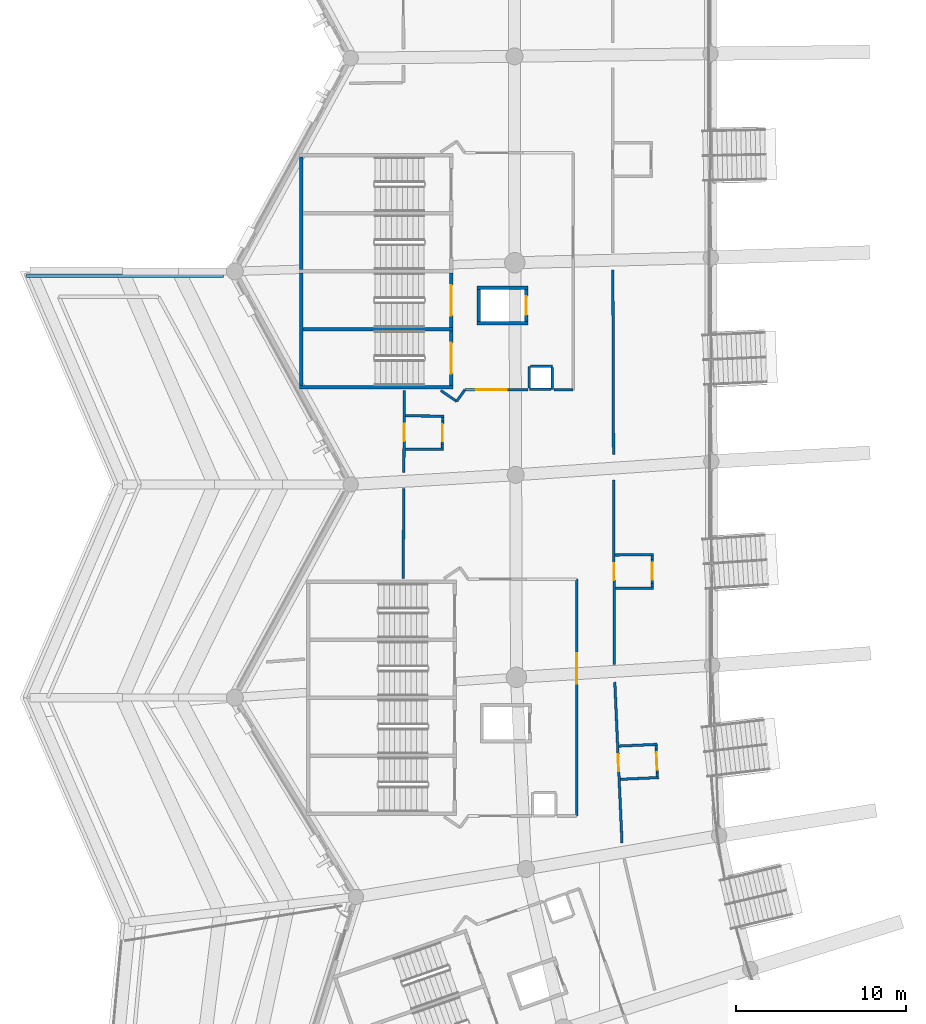
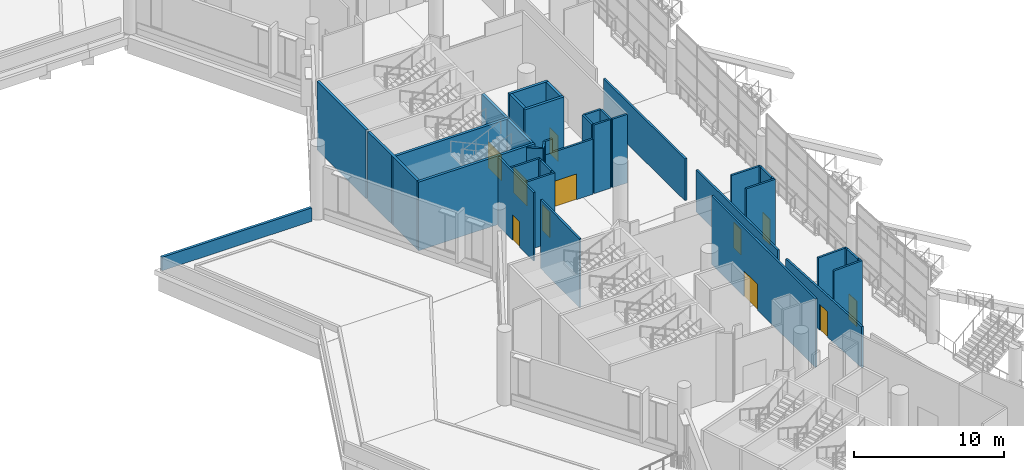
# One storey, part 48 of 173: 41 walls, 11 doors, 11 openings.
"""IFC4 building model written with IfcOpenShell, lengths in metres."""

from ifc_helpers import new_model, si_unit, direction, frame, frame_2d, origin, place, context, subcontext, project, spatial, rectangle, extrude, material, layer, layer_set, type_object, element, fill, save


model = new_model("IFC4")

# Units and contexts
model_context = context("Model", 3, precision=1e-05, world=origin(), true_north=direction((0.0, 1.0)))
body_context = subcontext(model_context, "Body", "Model", "MODEL_VIEW")
ifc_project = project(units=[si_unit("LENGTHUNIT", "METRE"), si_unit("AREAUNIT", "SQUARE_METRE"), si_unit("VOLUMEUNIT", "CUBIC_METRE"), si_unit("PLANEANGLEUNIT", "RADIAN"), si_unit("MASSUNIT", "GRAM", prefix="KILO")], contexts=[model_context])

# Site, building, storey
site_placement = place(None, origin())
site = spatial("IfcSite", under=ifc_project, at=site_placement, CompositionType="ELEMENT")
building_placement = place(site_placement, origin())
building = spatial("IfcBuilding", under=site, at=building_placement, Name="Meseta Stadium", CompositionType="ELEMENT")
storey_placement = place(building_placement, frame((0.0, 0.0, 18.0)))
storey = spatial("IfcBuildingStorey", under=building, at=storey_placement, Name="L03", CompositionType="ELEMENT", Elevation=18.0)

# Walls
ifc_material_1 = material(Name="Concrete C40/50", Category="concrete")
ifc_layer_1 = layer(ifc_material_1, 0.199951171875)
ifc_layer_set_1 = layer_set([ifc_layer_1], Name="Core divider wall 200")
wall_type_1 = type_object("IfcWallType", Name="Core divider wall 200", PredefinedType="SHEAR", material=ifc_layer_set_1)
wall_1_placement = place(storey_placement, frame((-97.60009765625, -22.14990234375, 0.0), z_axis=(0.0, 0.0, 1.0), x_axis=(1.0, 0.0, 0.0)))
element("IfcWall", 1, at=wall_1_placement, inside=storey, type_object=wall_type_1, Name="Core 18 L03 stair B divider wall", PredefinedType="SHEAR", context=body_context, shape_type="SweptSolid", body=[
    extrude(rectangle(XDim=9.0, YDim=0.199951171875, at=frame_2d((4.5, 0.0))), origin(), (0.0, 0.0, 1.0), 5.60009765625),
])
ifc_material_2 = material(Name="Concrete C40/50", Category="concrete")
ifc_layer_2 = layer(ifc_material_2, 0.199951171875)
ifc_layer_set_2 = layer_set([ifc_layer_2], Name="Core shaft wall 200")
wall_type_2 = type_object("IfcWallType", Name="Core shaft wall 200", PredefinedType="SHEAR", material=ifc_layer_set_2)
wall_2_placement = place(storey_placement, frame((-97.60009765625, -25.550048828125, 0.0), z_axis=(0.0, 0.0, 1.0), x_axis=(1.0, 0.0, 0.0)))
element("IfcWall", 2, at=wall_2_placement, inside=storey, type_object=wall_type_2, Name="Core 18 L03 stair wall B-side", PredefinedType="SHEAR", context=body_context, shape_type="SweptSolid", body=[
    extrude(rectangle(XDim=9.0, YDim=0.199951171875, at=frame_2d((4.5, 0.0))), origin(), (0.0, 0.0, 1.0), 5.60009765625),
])
for number, where, z_axis, x_axis, name in (
    (3, (-97.5, -12.050048828125, 0.0), (0.0, 0.0, 1.0), (0.0, -1.0, 0.0), "Core 18 L03 stair A outer end wall"),
    (4, (-97.5, -18.85009765625, 0.0), (0.0, 0.0, 1.0), (0.0, -1.0, 0.0), "Core 18 L03 stair B outer end wall"),
):
    element("IfcWall", number, at=place(storey_placement, frame(where, z_axis=z_axis, x_axis=x_axis)), inside=storey, type_object=wall_type_2, Name=name, PredefinedType="SHEAR", context=body_context, shape_type="SweptSolid", body=[
        extrude(rectangle(XDim=6.599853515625, YDim=0.199951171875, at=frame_2d((3.2998046875, 0.0))), origin(), (0.0, 0.0, 1.0), 5.60009765625),
    ])

# Wall, opening, door
wall_3_placement = place(storey_placement, frame((-88.699951171875, -18.85009765625, 0.0), z_axis=(0.0, 0.0, 1.0), x_axis=(0.0, -1.0, 0.0)))
wall_3 = element("IfcWall", 5, at=wall_3_placement, inside=storey, type_object=wall_type_2, Name="Core 18 L03 stair B1 inner end wall", PredefinedType="SHEAR", context=body_context, shape_type="SweptSolid", body=[
    extrude(rectangle(XDim=3.199951171875, YDim=0.199951171875, at=frame_2d((1.60009765625, 0.0))), origin(), (0.0, 0.0, 1.0), 5.60009765625),
])
opening_1_placement = place(wall_3_placement, frame((0.699951171875, 0.0, 0.0)))
opening_1 = element("IfcOpeningElement", 6, at=opening_1_placement, cuts=wall_3, Name="Opening D1280", PredefinedType="OPENING", context=body_context, shape_type="SweptSolid", body=[
    extrude(rectangle(XDim=1.800048828125, YDim=2.10009765625, at=frame_2d((0.89990234375, 1.050048828125))), frame((0.0, 0.10986328125, 0.0), z_axis=(0.0, -1.0, 0.0), x_axis=(1.0, 0.0, 0.0)), (0.0, 0.0, 1.0), 0.219970703125),
])
ifc_material_3 = material(Name="Steel", Category="steel")
door_type_1 = type_object("IfcDoorType", Name="Stair door 1800x2100", OperationType="DOUBLE_DOOR_SINGLE_SWING", PredefinedType="DOOR", material=ifc_material_3)
door_1_placement = place(opening_1_placement, origin())
door_1 = element("IfcDoor", 7, at=door_1_placement, inside=storey, type_object=door_type_1, Name="Stair B1 door 18 L03", OperationType="DOUBLE_DOOR_SINGLE_SWING", OverallHeight=2.10009765625, OverallWidth=1.800048828125, PredefinedType="DOOR", context=body_context, shape_type="SweptSolid", body=[
    extrude(rectangle(XDim=1.800048828125, YDim=2.10009765625, at=frame_2d((0.89990234375, 1.050048828125))), frame((0.0, 0.02490234375, 0.0), z_axis=(0.0, -1.0, 0.0), x_axis=(1.0, 0.0, 0.0)), (0.0, 0.0, 1.0), 0.050048828125),
])
fill(opening_1, door_1)

wall_4_placement = place(storey_placement, frame((-88.699951171875, -22.25, 0.0), z_axis=(0.0, 0.0, 1.0), x_axis=(0.0, -1.0, 0.0)))
wall_4 = element("IfcWall", 8, at=wall_4_placement, inside=storey, type_object=wall_type_2, Name="Core 18 L03 stair B2 inner end wall", PredefinedType="SHEAR", context=body_context, shape_type="SweptSolid", body=[
    extrude(rectangle(XDim=3.199951171875, YDim=0.199951171875, at=frame_2d((1.60009765625, 0.0))), origin(), (0.0, 0.0, 1.0), 5.60009765625),
])
opening_2_placement = place(wall_4_placement, frame((0.699951171875, 0.0, 0.0)))
opening_2 = element("IfcOpeningElement", 9, at=opening_2_placement, cuts=wall_4, Name="Opening D1279", PredefinedType="OPENING", context=body_context, shape_type="SweptSolid", body=[
    extrude(rectangle(XDim=1.800048828125, YDim=2.10009765625, at=frame_2d((0.89990234375, 1.050048828125))), frame((0.0, 0.10986328125, 0.0), z_axis=(0.0, -1.0, 0.0), x_axis=(1.0, 0.0, 0.0)), (0.0, 0.0, 1.0), 0.219970703125),
])
door_2_placement = place(opening_2_placement, origin())
door_2 = element("IfcDoor", 10, at=door_2_placement, inside=storey, type_object=door_type_1, Name="Stair B2 door 18 L03", OperationType="DOUBLE_DOOR_SINGLE_SWING", OverallHeight=2.10009765625, OverallWidth=1.800048828125, PredefinedType="DOOR", context=body_context, shape_type="SweptSolid", body=[
    extrude(rectangle(XDim=1.800048828125, YDim=2.10009765625, at=frame_2d((0.89990234375, 1.050048828125))), frame((0.0, 0.02490234375, 0.0), z_axis=(0.0, -1.0, 0.0), x_axis=(1.0, 0.0, 0.0)), (0.0, 0.0, 1.0), 0.050048828125),
])
fill(opening_2, door_2)

# Walls
for number, where, z_axis, x_axis, name in (
    (11, (-87.199951171875, -19.699951171875, 0.0), (0.0, 0.0, 1.0), (1.0, 0.0, 0.0), "Core 18 L03 lift shaft wall left"),
    (12, (-87.199951171875, -21.800048828125, 0.0), (0.0, 0.0, 1.0), (1.0, 0.0, 0.0), "Core 18 L03 lift shaft wall right"),
):
    element("IfcWall", number, at=place(storey_placement, frame(where, z_axis=z_axis, x_axis=x_axis)), inside=storey, type_object=wall_type_2, Name=name, PredefinedType="SHEAR", context=body_context, shape_type="SweptSolid", body=[
        extrude(rectangle(XDim=3.0, YDim=0.199951171875, at=frame_2d((1.5, 0.0))), origin(), (0.0, 0.0, 1.0), 5.60009765625),
    ])
wall_5_placement = place(storey_placement, frame((-87.10009765625, -19.800048828125, 0.0), z_axis=(0.0, 0.0, 1.0), x_axis=(0.0, -1.0, 0.0)))
element("IfcWall", 13, at=wall_5_placement, inside=storey, type_object=wall_type_2, Name="Core 18 L03 lift shaft back wall", PredefinedType="SHEAR", context=body_context, shape_type="SweptSolid", body=[
    extrude(rectangle(XDim=1.89990234375, YDim=0.199951171875, at=frame_2d((0.949951171875, 0.0))), origin(), (0.0, 0.0, 1.0), 5.60009765625),
])

# Wall, opening, door
wall_6_placement = place(storey_placement, frame((-84.300048828125, -19.800048828125, 0.0), z_axis=(0.0, 0.0, 1.0), x_axis=(0.0, -1.0, 0.0)))
wall_6 = element("IfcWall", 14, at=wall_6_placement, inside=storey, type_object=wall_type_2, Name="Core 18 L03 lift shaft front wall", PredefinedType="SHEAR", context=body_context, shape_type="SweptSolid", body=[
    extrude(rectangle(XDim=1.89990234375, YDim=0.199951171875, at=frame_2d((0.949951171875, 0.0))), origin(), (0.0, 0.0, 1.0), 5.60009765625),
])
opening_3_placement = place(wall_6_placement, frame((0.39990234375, 0.0, 0.0)))
opening_3 = element("IfcOpeningElement", 15, at=opening_3_placement, cuts=wall_6, Name="Opening LD101", PredefinedType="OPENING", context=body_context, shape_type="SweptSolid", body=[
    extrude(rectangle(XDim=1.10009765625, YDim=2.10009765625, at=frame_2d((0.550048828125, 1.050048828125))), frame((0.0, 0.10986328125, 0.0), z_axis=(0.0, -1.0, 0.0), x_axis=(1.0, 0.0, 0.0)), (0.0, 0.0, 1.0), 0.219970703125),
])
ifc_material_4 = material(Name="Steel", Category="steel")
door_type_2 = type_object("IfcDoorType", Name="Lift landing door 1100x2100", OperationType="SLIDING_TO_LEFT", PredefinedType="DOOR", material=ifc_material_4)
door_3_placement = place(opening_3_placement, origin())
door_3 = element("IfcDoor", 16, at=door_3_placement, inside=storey, type_object=door_type_2, Name="Lift landing door LD101", OperationType="SLIDING_TO_LEFT", OverallHeight=2.10009765625, OverallWidth=1.10009765625, PredefinedType="DOOR", context=body_context, shape_type="SweptSolid", body=[
    extrude(rectangle(XDim=1.10009765625, YDim=2.10009765625, at=frame_2d((0.550048828125, 1.050048828125))), frame((0.0, 0.02490234375, 0.0), z_axis=(0.0, -1.0, 0.0), x_axis=(1.0, 0.0, 0.0)), (0.0, 0.0, 1.0), 0.050048828125),
])
fill(opening_3, door_3)

ifc_material_5 = material(Name="Masonry blockwork", Category="masonry")
ifc_layer_3 = layer(ifc_material_5, 0.14990234375)
ifc_layer_set_3 = layer_set([ifc_layer_3], Name="Partition 150")
wall_type_3 = type_object("IfcWallType", Name="Partition 150", PredefinedType="PARTITIONING", material=ifc_layer_set_3)
wall_7_placement = place(storey_placement, frame((-79.139892578125, -41.81005859375, 0.0), z_axis=(0.0, 0.0, 1.0), x_axis=(-0.003787424647, 0.999992827682, 0.0)))
wall_7 = element("IfcWall", 17, at=wall_7_placement, inside=storey, type_object=wall_type_3, Name="Partition L03 L03-cell17-0-0", PredefinedType="PARTITIONING", context=body_context, shape_type="SweptSolid", body=[
    extrude(rectangle(XDim=10.829345703125, YDim=0.14990234375, at=frame_2d((5.41455078125, 0.0))), origin(), (0.0, 0.0, 1.0), 3.4228515625),
])
opening_4_placement = place(wall_7_placement, frame((4.949951171875, 0.0, 0.0)))
opening_4 = element("IfcOpeningElement", 18, at=opening_4_placement, cuts=wall_7, Name="Opening D1329", PredefinedType="OPENING", context=body_context, shape_type="SweptSolid", body=[
    extrude(rectangle(XDim=1.0, YDim=2.10009765625, at=frame_2d((0.5, 1.050048828125))), frame((0.0, 0.0849609375, 0.0), z_axis=(0.0, -1.0, 0.0), x_axis=(1.0, 0.0, 0.0)), (0.0, 0.0, 1.0), 0.169921875),
])
ifc_material_6 = material(Name="Steel", Category="steel")
door_type_3 = type_object("IfcDoorType", Name="Fire door 1000x2100 EI2 60", OperationType="NOTDEFINED", PredefinedType="DOOR", material=ifc_material_6)
door_4_placement = place(opening_4_placement, origin())
door_4 = element("IfcDoor", 19, at=door_4_placement, inside=storey, type_object=door_type_3, Name="Room door L03 L03-cell17-0-0", OperationType="SINGLE_SWING_RIGHT", OverallHeight=2.10009765625, OverallWidth=1.0, PredefinedType="DOOR", context=body_context, shape_type="SweptSolid", body=[
    extrude(rectangle(XDim=1.0, YDim=2.10009765625, at=frame_2d((0.5, 1.050048828125))), frame((0.0, 0.02490234375, 0.0), z_axis=(0.0, -1.0, 0.0), x_axis=(1.0, 0.0, 0.0)), (0.0, 0.0, 1.0), 0.050048828125),
])
fill(opening_4, door_4)

# Wall
wall_8_placement = place(storey_placement, frame((-79.186279296875, -29.50390625, 0.0), z_axis=(0.0, 0.0, 1.0), x_axis=(-0.003787510032, 0.999992827358, 0.0)))
element("IfcWall", 20, at=wall_8_placement, inside=storey, type_object=wall_type_3, Name="Partition L03 L03-cell17-0-0", PredefinedType="PARTITIONING", context=body_context, shape_type="SweptSolid", body=[
    extrude(rectangle(XDim=10.8291015625, YDim=0.14990234375, at=frame_2d((5.41455078125, 0.0))), origin(), (0.0, 0.0, 1.0), 3.4228515625),
])

# Wall, opening, door
wall_9_placement = place(storey_placement, frame((-91.454833984375, -25.75, 0.0), z_axis=(0.0, 0.0, 1.0), x_axis=(-0.006125459352, -0.999981239198, 0.0)))
wall_9 = element("IfcWall", 21, at=wall_9_placement, inside=storey, type_object=wall_type_3, Name="Partition L03 L03-cell17-2-0", PredefinedType="PARTITIONING", context=body_context, shape_type="SweptSolid", body=[
    extrude(rectangle(XDim=4.78271484375, YDim=0.14990234375, at=frame_2d((2.391357421875, 0.0))), origin(), (0.0, 0.0, 1.0), 5.60009765625),
])
opening_5_placement = place(wall_9_placement, frame((1.949951171875, 0.0, 0.0)))
opening_5 = element("IfcOpeningElement", 22, at=opening_5_placement, cuts=wall_9, Name="Opening D1276", PredefinedType="OPENING", context=body_context, shape_type="SweptSolid", body=[
    extrude(rectangle(XDim=1.0, YDim=2.10009765625, at=frame_2d((0.5, 1.050048828125))), frame((0.0, 0.0849609375, 0.0), z_axis=(0.0, -1.0, 0.0), x_axis=(1.0, 0.0, 0.0)), (0.0, 0.0, 1.0), 0.169921875),
])
door_5_placement = place(opening_5_placement, origin())
door_5 = element("IfcDoor", 23, at=door_5_placement, inside=storey, type_object=door_type_3, Name="Room door L03 L03-cell17-2-0", OperationType="SINGLE_SWING_RIGHT", OverallHeight=2.10009765625, OverallWidth=1.0, PredefinedType="DOOR", context=body_context, shape_type="SweptSolid", body=[
    extrude(rectangle(XDim=1.0, YDim=2.10009765625, at=frame_2d((0.5, 1.050048828125))), frame((0.0, 0.02490234375, 0.0), z_axis=(0.0, -1.0, 0.0), x_axis=(1.0, 0.0, 0.0)), (0.0, 0.0, 1.0), 0.050048828125),
])
fill(opening_5, door_5)

# Wall
wall_10_placement = place(storey_placement, frame((-91.489990234375, -31.489013671875, 0.0), z_axis=(0.0, 0.0, 1.0), x_axis=(-0.006125459352, -0.999981239198, 0.0)))
element("IfcWall", 24, at=wall_10_placement, inside=storey, type_object=wall_type_3, Name="Partition L03 L03-cell17-2-0", PredefinedType="PARTITIONING", context=body_context, shape_type="SweptSolid", body=[
    extrude(rectangle(XDim=5.260986328125, YDim=0.14990234375, at=frame_2d((2.63037109375, 0.0))), origin(), (0.0, 0.0, 1.0), 5.60009765625),
])

# Wall, opening, door
wall_11_placement = place(storey_placement, frame((-78.69140625, -52.265869140625, 0.0), z_axis=(0.0, 0.0, 1.0), x_axis=(-0.044749816806, 0.998998225172, 0.0)))
wall_11 = element("IfcWall", 25, at=wall_11_placement, inside=storey, type_object=wall_type_3, Name="Partition L03 L03-cell18-0-0", PredefinedType="PARTITIONING", context=body_context, shape_type="SweptSolid", body=[
    extrude(rectangle(XDim=9.427490234375, YDim=0.14990234375, at=frame_2d((4.7138671875, 0.0))), origin(), (0.0, 0.0, 1.0), 3.332275390625),
])
opening_6_placement = place(wall_11_placement, frame((4.199951171875, 0.0, 0.0)))
opening_6 = element("IfcOpeningElement", 26, at=opening_6_placement, cuts=wall_11, Name="Opening D1331", PredefinedType="OPENING", context=body_context, shape_type="SweptSolid", body=[
    extrude(rectangle(XDim=1.0, YDim=2.10009765625, at=frame_2d((0.5, 1.050048828125))), frame((0.0, 0.0849609375, 0.0), z_axis=(0.0, -1.0, 0.0), x_axis=(1.0, 0.0, 0.0)), (0.0, 0.0, 1.0), 0.169921875),
])
door_6_placement = place(opening_6_placement, origin())
door_6 = element("IfcDoor", 27, at=door_6_placement, inside=storey, type_object=door_type_3, Name="Room door L03 L03-cell18-0-0", OperationType="SINGLE_SWING_LEFT", OverallHeight=2.10009765625, OverallWidth=1.0, PredefinedType="DOOR", context=body_context, shape_type="SweptSolid", body=[
    extrude(rectangle(XDim=1.0, YDim=2.10009765625, at=frame_2d((0.5, 1.050048828125))), frame((0.0, 0.02490234375, 0.0), z_axis=(0.0, -1.0, 0.0), x_axis=(1.0, 0.0, 0.0)), (0.0, 0.0, 1.0), 0.050048828125),
])
fill(opening_6, door_6)

# Walls
wall_12_placement = place(storey_placement, frame((-84.125, -24.324951171875, 0.0), z_axis=(0.0, 0.0, 1.0), x_axis=(0.0, -1.0, 0.0)))
element("IfcWall", 28, at=wall_12_placement, inside=storey, type_object=wall_type_3, Name="Pressurisation shaft wall L03 core 18", PredefinedType="PARTITIONING", context=body_context, shape_type="SweptSolid", body=[
    extrude(rectangle(XDim=1.275146484375, YDim=0.14990234375, at=frame_2d((0.6376953125, 0.0))), origin(), (0.0, 0.0, 1.0), 5.60009765625),
])
wall_13_placement = place(storey_placement, frame((-84.125, -25.675048828125, 0.0), z_axis=(0.0, 0.0, 1.0), x_axis=(1.0, 0.0, 0.0)))
element("IfcWall", 29, at=wall_13_placement, inside=storey, type_object=wall_type_3, Name="Pressurisation shaft wall L03 core 18", PredefinedType="PARTITIONING", context=body_context, shape_type="SweptSolid", body=[
    extrude(rectangle(XDim=1.27490234375, YDim=0.14990234375, at=frame_2d((0.637451171875, 0.0))), origin(), (0.0, 0.0, 1.0), 5.60009765625),
])
for number, where, z_axis, x_axis, name in (
    (30, (-82.77490234375, -25.675048828125, 0.0), (0.0, 0.0, 1.0), (0.0, 1.0, 0.0), "Pressurisation shaft wall L03 core 18"),
    (31, (-82.77490234375, -24.324951171875, 0.0), (0.0, 0.0, 1.0), (-1.0, 0.0, 0.0), "Pressurisation shaft wall L03 core 18"),
):
    element("IfcWall", number, at=place(storey_placement, frame(where, z_axis=z_axis, x_axis=x_axis)), inside=storey, type_object=wall_type_3, Name=name, PredefinedType="PARTITIONING", context=body_context, shape_type="SweptSolid", body=[
        extrude(rectangle(XDim=1.275146484375, YDim=0.14990234375, at=frame_2d((0.6376953125, 0.0))), origin(), (0.0, 0.0, 1.0), 5.60009765625),
    ])
wall_14_placement = place(storey_placement, frame((-89.319580078125, -25.739501953125, 0.0), z_axis=(0.0, 0.0, 1.0), x_axis=(0.827055308354, -0.562120553728, 0.0)))
element("IfcWall", 32, at=wall_14_placement, inside=storey, type_object=wall_type_3, Name="Stair vestibule wall L03 core 18", PredefinedType="PARTITIONING", context=body_context, shape_type="SweptSolid", body=[
    extrude(rectangle(XDim=1.1279296875, YDim=0.14990234375, at=frame_2d((0.56396484375, 0.0))), origin(), (0.0, 0.0, 1.0), 5.60009765625),
])
wall_15_placement = place(storey_placement, frame((-88.38671875, -26.37353515625, 0.0), z_axis=(0.0, 0.0, 1.0), x_axis=(0.575376756214, 0.817888493872, 0.0)))
element("IfcWall", 33, at=wall_15_placement, inside=storey, type_object=wall_type_3, Name="Stair vestibule wall L03 core 18", PredefinedType="PARTITIONING", context=body_context, shape_type="SweptSolid", body=[
    extrude(rectangle(XDim=0.82958984375, YDim=0.14990234375, at=frame_2d((0.414794921875, 0.0))), origin(), (0.0, 0.0, 1.0), 5.60009765625),
])

# Wall, opening, door
wall_16_placement = place(storey_placement, frame((-87.909423828125, -25.695068359375, 0.0), z_axis=(0.0, 0.0, 1.0), x_axis=(1.0, 0.0, 0.0)))
wall_16 = element("IfcWall", 34, at=wall_16_placement, inside=storey, type_object=wall_type_3, Name="Stair vestibule wall L03 core 18", PredefinedType="PARTITIONING", context=body_context, shape_type="SweptSolid", body=[
    extrude(rectangle(XDim=3.70361328125, YDim=0.14990234375, at=frame_2d((1.851806640625, 0.0))), origin(), (0.0, 0.0, 1.0), 4.5),
])
opening_7_placement = place(wall_16_placement, frame((0.64990234375, 0.0, 0.0)))
opening_7 = element("IfcOpeningElement", 35, at=opening_7_placement, cuts=wall_16, Name="Opening D1301", PredefinedType="OPENING", context=body_context, shape_type="SweptSolid", body=[
    extrude(rectangle(XDim=1.800048828125, YDim=2.10009765625, at=frame_2d((0.89990234375, 1.050048828125))), frame((0.0, 0.0849609375, 0.0), z_axis=(0.0, -1.0, 0.0), x_axis=(1.0, 0.0, 0.0)), (0.0, 0.0, 1.0), 0.169921875),
])
ifc_material_7 = material(Name="Steel", Category="steel")
door_type_4 = type_object("IfcDoorType", Name="Fire double door 1800x2100 EI2 60", OperationType="DOUBLE_DOOR_SINGLE_SWING", PredefinedType="DOOR", material=ifc_material_7)
door_7_placement = place(opening_7_placement, origin())
door_7 = element("IfcDoor", 36, at=door_7_placement, inside=storey, type_object=door_type_4, Name="Stair vestibule door L03 core 18", OperationType="DOUBLE_DOOR_SINGLE_SWING", OverallHeight=2.10009765625, OverallWidth=1.800048828125, PredefinedType="DOOR", context=body_context, shape_type="SweptSolid", body=[
    extrude(rectangle(XDim=1.800048828125, YDim=2.10009765625, at=frame_2d((0.89990234375, 1.050048828125))), frame((0.0, 0.02490234375, 0.0), z_axis=(0.0, -1.0, 0.0), x_axis=(1.0, 0.0, 0.0)), (0.0, 0.0, 1.0), 0.050048828125),
])
fill(opening_7, door_7)

# Walls
wall_17_placement = place(storey_placement, frame((-87.909423828125, -25.695068359375, 4.5), z_axis=(0.0, 0.0, 1.0), x_axis=(1.0, 0.0, 0.0)))
element("IfcWall", 37, at=wall_17_placement, inside=storey, type_object=wall_type_3, Name="Stair vestibule wall L03 core 18", PredefinedType="PARTITIONING", context=body_context, shape_type="SweptSolid", body=[
    extrude(rectangle(XDim=0.599853515625, YDim=0.14990234375, at=frame_2d((0.2998046875, 0.0))), origin(), (0.0, 0.0, 1.0), 1.10009765625),
])
wall_18_placement = place(storey_placement, frame((-82.68994140625, -25.695068359375, 0.0), z_axis=(0.0, 0.0, 1.0), x_axis=(1.0, 0.0, 0.0)))
element("IfcWall", 38, at=wall_18_placement, inside=storey, type_object=wall_type_3, Name="Stair vestibule wall L03 core 18", PredefinedType="PARTITIONING", context=body_context, shape_type="SweptSolid", body=[
    extrude(rectangle(XDim=1.135009765625, YDim=0.14990234375, at=frame_2d((0.5673828125, 0.0))), origin(), (0.0, 0.0, 1.0), 5.60009765625),
])

# Wall, opening, door
wall_19_placement = place(storey_placement, frame((-81.35498046875, -50.695068359375, 0.0), z_axis=(0.0, 0.0, 1.0), x_axis=(0.0, 1.0, 0.0)))
wall_19 = element("IfcWall", 39, at=wall_19_placement, inside=storey, type_object=wall_type_3, Name="Stair vestibule wall L03 core 19", PredefinedType="PARTITIONING", context=body_context, shape_type="SweptSolid", body=[
    extrude(rectangle(XDim=13.89013671875, YDim=0.14990234375, at=frame_2d((6.945068359375, 0.0))), origin(), (0.0, 0.0, 1.0), 5.60009765625),
])
opening_8_placement = place(wall_19_placement, frame((7.75, 0.0, 0.0)))
opening_8 = element("IfcOpeningElement", 40, at=opening_8_placement, cuts=wall_19, Name="Opening D1320", PredefinedType="OPENING", context=body_context, shape_type="SweptSolid", body=[
    extrude(rectangle(XDim=1.800048828125, YDim=2.10009765625, at=frame_2d((0.89990234375, 1.050048828125))), frame((0.0, 0.0849609375, 0.0), z_axis=(0.0, -1.0, 0.0), x_axis=(1.0, 0.0, 0.0)), (0.0, 0.0, 1.0), 0.169921875),
])
door_8_placement = place(opening_8_placement, origin())
door_8 = element("IfcDoor", 41, at=door_8_placement, inside=storey, type_object=door_type_4, Name="Stair vestibule door L03 core 19", OperationType="DOUBLE_DOOR_SINGLE_SWING", OverallHeight=2.10009765625, OverallWidth=1.800048828125, PredefinedType="DOOR", context=body_context, shape_type="SweptSolid", body=[
    extrude(rectangle(XDim=1.800048828125, YDim=2.10009765625, at=frame_2d((0.89990234375, 1.050048828125))), frame((0.0, 0.02490234375, 0.0), z_axis=(0.0, -1.0, 0.0), x_axis=(1.0, 0.0, 0.0)), (0.0, 0.0, 1.0), 0.050048828125),
])
fill(opening_8, door_8)

# Walls
wall_20_placement = place(storey_placement, frame((-79.081787109375, -37.334716796875, 0.0), z_axis=(0.0, 0.0, 1.0), x_axis=(0.999992788652, 0.003797715669, 0.0)))
element("IfcWall", 42, at=wall_20_placement, inside=storey, type_object=wall_type_3, Name="Partition L03 L03-cell17-0-0 vestibule", PredefinedType="PARTITIONING", context=body_context, shape_type="SweptSolid", body=[
    extrude(rectangle(XDim=2.25, YDim=0.14990234375, at=frame_2d((1.125, 0.0))), origin(), (0.0, 0.0, 1.0), 5.69384765625),
])
wall_21_placement = place(storey_placement, frame((-79.089111328125, -35.384765625, 0.0), z_axis=(0.0, 0.0, 1.0), x_axis=(0.999992788652, 0.003797715669, 0.0)))
element("IfcWall", 43, at=wall_21_placement, inside=storey, type_object=wall_type_3, Name="Partition L03 L03-cell17-0-0 vestibule", PredefinedType="PARTITIONING", context=body_context, shape_type="SweptSolid", body=[
    extrude(rectangle(XDim=2.25, YDim=0.14990234375, at=frame_2d((1.125, 0.0))), origin(), (0.0, 0.0, 1.0), 5.618408203125),
])
wall_22_placement = place(storey_placement, frame((-76.906982421875, -37.25146484375, 0.0), z_axis=(0.0, 0.0, 1.0), x_axis=(-0.003662979089, 0.99999329127, 0.0)))
element("IfcWall", 44, at=wall_22_placement, inside=storey, type_object=wall_type_3, Name="Partition L03 L03-cell17-0-0 vestibule", PredefinedType="PARTITIONING", context=body_context, shape_type="SweptSolid", body=[
    extrude(rectangle(XDim=0.199951171875, YDim=0.14990234375, at=frame_2d((0.10009765625, 0.0))), origin(), (0.0, 0.0, 1.0), 5.71484375),
])

# Wall, opening, door
wall_23_placement = place(storey_placement, frame((-76.90771484375, -37.051513671875, 0.0), z_axis=(0.0, 0.0, 1.0), x_axis=(-0.003836734927, 0.999992639705, 0.0)))
wall_23 = element("IfcWall", 45, at=wall_23_placement, inside=storey, type_object=wall_type_3, Name="Partition L03 L03-cell17-0-0 vestibule", PredefinedType="PARTITIONING", context=body_context, shape_type="SweptSolid", body=[
    extrude(rectangle(XDim=1.39990234375, YDim=0.14990234375, at=frame_2d((0.699951171875, 0.0))), origin(), (0.0, 0.0, 1.0), 5.67578125),
])
opening_9_placement = place(wall_23_placement, frame((0.199951171875, 0.0, 0.0)))
opening_9 = element("IfcOpeningElement", 46, at=opening_9_placement, cuts=wall_23, Name="Opening D1337", PredefinedType="OPENING", context=body_context, shape_type="SweptSolid", body=[
    extrude(rectangle(XDim=1.0, YDim=2.10009765625, at=frame_2d((0.5, 1.050048828125))), frame((0.0, 0.0849609375, 0.0), z_axis=(0.0, -1.0, 0.0), x_axis=(1.0, 0.0, 0.0)), (0.0, 0.0, 1.0), 0.169921875),
])
door_9_placement = place(opening_9_placement, origin())
door_9 = element("IfcDoor", 47, at=door_9_placement, inside=storey, type_object=door_type_3, Name="Vestibule door L03 L03-cell17-0-0", OperationType="SINGLE_SWING_LEFT", OverallHeight=2.10009765625, OverallWidth=1.0, PredefinedType="DOOR", context=body_context, shape_type="SweptSolid", body=[
    extrude(rectangle(XDim=1.0, YDim=2.10009765625, at=frame_2d((0.5, 1.050048828125))), frame((0.0, 0.02490234375, 0.0), z_axis=(0.0, -1.0, 0.0), x_axis=(1.0, 0.0, 0.0)), (0.0, 0.0, 1.0), 0.050048828125),
])
fill(opening_9, door_9)

# Walls
wall_24_placement = place(storey_placement, frame((-76.9130859375, -35.651611328125, 0.0), z_axis=(0.0, 0.0, 1.0), x_axis=(-0.003658512101, 0.999993307622, 0.0)))
element("IfcWall", 48, at=wall_24_placement, inside=storey, type_object=wall_type_3, Name="Partition L03 L03-cell17-0-0 vestibule", PredefinedType="PARTITIONING", context=body_context, shape_type="SweptSolid", body=[
    extrude(rectangle(XDim=0.2001953125, YDim=0.14990234375, at=frame_2d((0.10009765625, 0.0))), origin(), (0.0, 0.0, 1.0), 5.668212890625),
])
for number, where, z_axis, x_axis, name in (
    (49, (-91.388916015625, -27.225341796875, 0.0), (0.0, 0.0, 1.0), (0.99998087408, -0.006184777542, 0.0), "Partition L03 L03-cell17-2-0 vestibule"),
    (50, (-91.40087890625, -29.17529296875, 0.0), (0.0, 0.0, 1.0), (0.99998087408, -0.006184777542, 0.0), "Partition L03 L03-cell17-2-0 vestibule"),
):
    element("IfcWall", number, at=place(storey_placement, frame(where, z_axis=z_axis, x_axis=x_axis)), inside=storey, type_object=wall_type_3, Name=name, PredefinedType="PARTITIONING", context=body_context, shape_type="SweptSolid", body=[
        extrude(rectangle(XDim=2.25, YDim=0.14990234375, at=frame_2d((1.125, 0.0))), origin(), (0.0, 0.0, 1.0), 5.60009765625),
    ])
wall_25_placement = place(storey_placement, frame((-89.21435546875, -27.313720703125, 0.0), z_axis=(0.0, 0.0, 1.0), x_axis=(-0.007316877302, -0.999973231295, 0.0)))
element("IfcWall", 51, at=wall_25_placement, inside=storey, type_object=wall_type_3, Name="Partition L03 L03-cell17-2-0 vestibule", PredefinedType="PARTITIONING", context=body_context, shape_type="SweptSolid", body=[
    extrude(rectangle(XDim=0.2001953125, YDim=0.14990234375, at=frame_2d((0.10009765625, 0.0))), origin(), (0.0, 0.0, 1.0), 5.60009765625),
])

# Wall, opening, door
wall_26_placement = place(storey_placement, frame((-89.2158203125, -27.513916015625, 0.0), z_axis=(0.0, 0.0, 1.0), x_axis=(-0.005929438839, -0.999982420723, 0.0)))
wall_26 = element("IfcWall", 52, at=wall_26_placement, inside=storey, type_object=wall_type_3, Name="Partition L03 L03-cell17-2-0 vestibule", PredefinedType="PARTITIONING", context=body_context, shape_type="SweptSolid", body=[
    extrude(rectangle(XDim=1.39990234375, YDim=0.14990234375, at=frame_2d((0.699951171875, 0.0))), origin(), (0.0, 0.0, 1.0), 5.60009765625),
])
opening_10_placement = place(wall_26_placement, frame((0.199951171875, 0.0, 0.0)))
opening_10 = element("IfcOpeningElement", 53, at=opening_10_placement, cuts=wall_26, Name="Opening D1278", PredefinedType="OPENING", context=body_context, shape_type="SweptSolid", body=[
    extrude(rectangle(XDim=1.0, YDim=2.10009765625, at=frame_2d((0.5, 1.050048828125))), frame((0.0, 0.0849609375, 0.0), z_axis=(0.0, -1.0, 0.0), x_axis=(1.0, 0.0, 0.0)), (0.0, 0.0, 1.0), 0.169921875),
])
door_10_placement = place(opening_10_placement, origin())
door_10 = element("IfcDoor", 54, at=door_10_placement, inside=storey, type_object=door_type_3, Name="Vestibule door L03 L03-cell17-2-0", OperationType="SINGLE_SWING_RIGHT", OverallHeight=2.10009765625, OverallWidth=1.0, PredefinedType="DOOR", context=body_context, shape_type="SweptSolid", body=[
    extrude(rectangle(XDim=1.0, YDim=2.10009765625, at=frame_2d((0.5, 1.050048828125))), frame((0.0, 0.02490234375, 0.0), z_axis=(0.0, -1.0, 0.0), x_axis=(1.0, 0.0, 0.0)), (0.0, 0.0, 1.0), 0.050048828125),
])
fill(opening_10, door_10)

# Walls
wall_27_placement = place(storey_placement, frame((-89.22412109375, -28.913818359375, 0.0), z_axis=(0.0, 0.0, 1.0), x_axis=(-0.007325810739, -0.999973165888, 0.0)))
element("IfcWall", 55, at=wall_27_placement, inside=storey, type_object=wall_type_3, Name="Partition L03 L03-cell17-2-0 vestibule", PredefinedType="PARTITIONING", context=body_context, shape_type="SweptSolid", body=[
    extrude(rectangle(XDim=0.199951171875, YDim=0.14990234375, at=frame_2d((0.10009765625, 0.0))), origin(), (0.0, 0.0, 1.0), 5.60009765625),
])
wall_28_placement = place(storey_placement, frame((-78.783203125, -48.541259765625, 0.0), z_axis=(0.0, 0.0, 1.0), x_axis=(0.998995432738, 0.044812111841, 0.0)))
element("IfcWall", 56, at=wall_28_placement, inside=storey, type_object=wall_type_3, Name="Partition L03 L03-cell18-0-0 vestibule", PredefinedType="PARTITIONING", context=body_context, shape_type="SweptSolid", body=[
    extrude(rectangle(XDim=2.25, YDim=0.14990234375, at=frame_2d((1.125, 0.0))), origin(), (0.0, 0.0, 1.0), 5.690673828125),
])
wall_29_placement = place(storey_placement, frame((-78.87060546875, -46.593017578125, 0.0), z_axis=(0.0, 0.0, 1.0), x_axis=(0.999000284298, 0.044703825039, 0.0)))
element("IfcWall", 57, at=wall_29_placement, inside=storey, type_object=wall_type_3, Name="Partition L03 L03-cell18-0-0 vestibule", PredefinedType="PARTITIONING", context=body_context, shape_type="SweptSolid", body=[
    extrude(rectangle(XDim=2.25, YDim=0.14990234375, at=frame_2d((1.125, 0.0))), origin(), (0.0, 0.0, 1.0), 5.601318359375),
])
wall_30_placement = place(storey_placement, frame((-76.61376953125, -48.368896484375, 0.0), z_axis=(0.0, 0.0, 1.0), x_axis=(-0.04518607304, 0.99897858776, 0.0)))
element("IfcWall", 58, at=wall_30_placement, inside=storey, type_object=wall_type_3, Name="Partition L03 L03-cell18-0-0 vestibule", PredefinedType="PARTITIONING", context=body_context, shape_type="SweptSolid", body=[
    extrude(rectangle(XDim=0.199951171875, YDim=0.14990234375, at=frame_2d((0.10009765625, 0.0))), origin(), (0.0, 0.0, 1.0), 5.6982421875),
])

# Wall, opening, door
wall_31_placement = place(storey_placement, frame((-76.622802734375, -48.169189453125, 0.0), z_axis=(0.0, 0.0, 1.0), x_axis=(-0.044640390809, 0.99900312087, 0.0)))
wall_31 = element("IfcWall", 59, at=wall_31_placement, inside=storey, type_object=wall_type_3, Name="Partition L03 L03-cell18-0-0 vestibule", PredefinedType="PARTITIONING", context=body_context, shape_type="SweptSolid", body=[
    extrude(rectangle(XDim=1.400146484375, YDim=0.14990234375, at=frame_2d((0.7001953125, 0.0))), origin(), (0.0, 0.0, 1.0), 5.66064453125),
])
opening_11_placement = place(wall_31_placement, frame((0.199951171875, 0.0, 0.0)))
opening_11 = element("IfcOpeningElement", 60, at=opening_11_placement, cuts=wall_31, Name="Opening D1339", PredefinedType="OPENING", context=body_context, shape_type="SweptSolid", body=[
    extrude(rectangle(XDim=1.0, YDim=2.10009765625, at=frame_2d((0.5, 1.050048828125))), frame((0.0, 0.0849609375, 0.0), z_axis=(0.0, -1.0, 0.0), x_axis=(1.0, 0.0, 0.0)), (0.0, 0.0, 1.0), 0.169921875),
])
door_11_placement = place(opening_11_placement, origin())
door_11 = element("IfcDoor", 61, at=door_11_placement, inside=storey, type_object=door_type_3, Name="Vestibule door L03 L03-cell18-0-0", OperationType="SINGLE_SWING_LEFT", OverallHeight=2.10009765625, OverallWidth=1.0, PredefinedType="DOOR", context=body_context, shape_type="SweptSolid", body=[
    extrude(rectangle(XDim=1.0, YDim=2.10009765625, at=frame_2d((0.5, 1.050048828125))), frame((0.0, 0.02490234375, 0.0), z_axis=(0.0, -1.0, 0.0), x_axis=(1.0, 0.0, 0.0)), (0.0, 0.0, 1.0), 0.050048828125),
])
fill(opening_11, door_11)

# Walls
wall_32_placement = place(storey_placement, frame((-76.685302734375, -46.7705078125, 0.0), z_axis=(0.0, 0.0, 1.0), x_axis=(-0.04518607304, 0.99897858776, 0.0)))
element("IfcWall", 62, at=wall_32_placement, inside=storey, type_object=wall_type_3, Name="Partition L03 L03-cell18-0-0 vestibule", PredefinedType="PARTITIONING", context=body_context, shape_type="SweptSolid", body=[
    extrude(rectangle(XDim=0.199951171875, YDim=0.14990234375, at=frame_2d((0.10009765625, 0.0))), origin(), (0.0, 0.0, 1.0), 5.6513671875),
])
ifc_material_8 = material(Name="Concrete C40/50", Category="concrete")
ifc_layer_4 = layer(ifc_material_8, 0.199951171875)
ifc_layer_set_4 = layer_set([ifc_layer_4], Name="Roof parapet 200")
wall_type_4 = type_object("IfcWallType", Name="Roof parapet 200", PredefinedType="PARAPET", material=ifc_layer_set_4)
wall_33_placement = place(storey_placement, frame((-113.61962890625, -19.0, 0.0), z_axis=(0.0, 0.0, 1.0), x_axis=(1.0, 0.0, 0.0)))
element("IfcWall", 63, at=wall_33_placement, inside=storey, type_object=wall_type_4, Name="Roof parapet 5.33.1", PredefinedType="PARAPET", context=body_context, shape_type="SweptSolid", body=[
    extrude(rectangle(XDim=11.558837890625, YDim=0.199951171875, at=frame_2d((5.779296875, 0.0))), origin(), (0.0, 0.0, 1.0), 1.10009765625),
])

save(model, "model.ifc")
